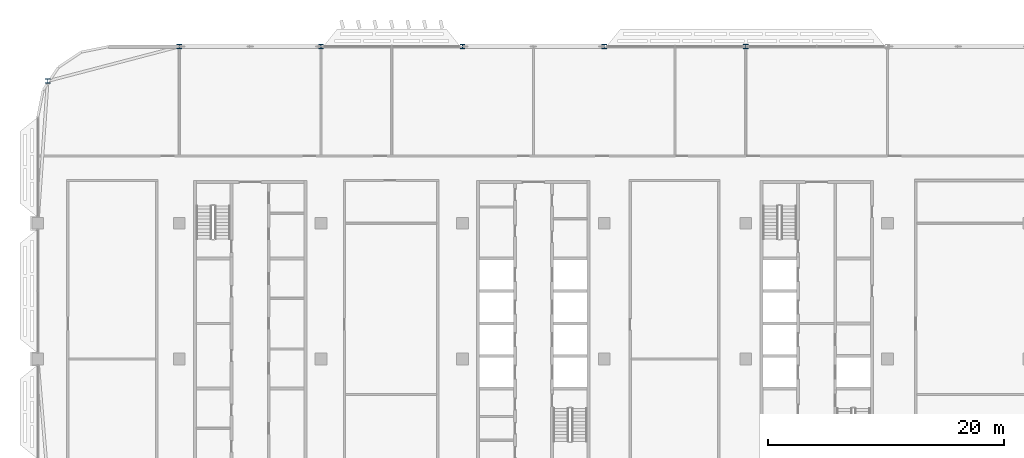
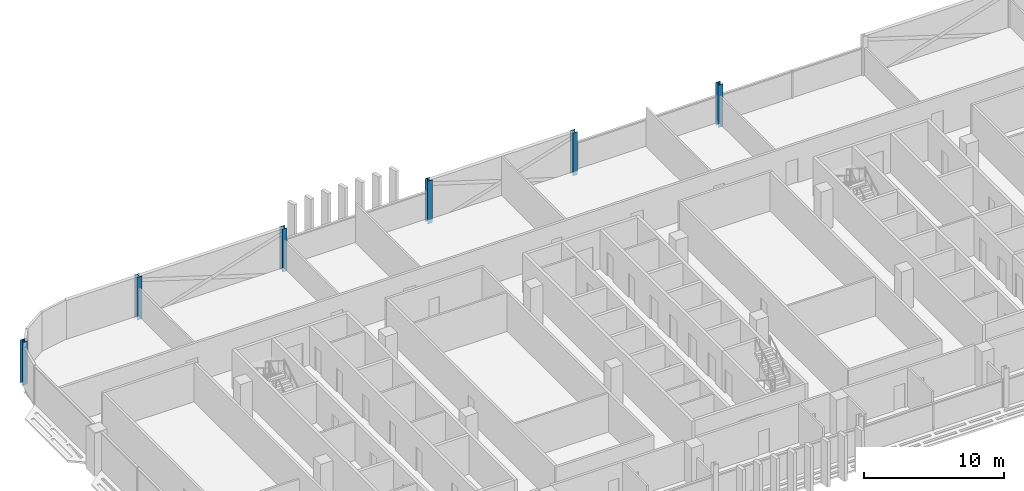
# One storey, part 3 of 33: 6 columns.
"""IFC4 building model written with IfcOpenShell, lengths in metres."""

from ifc_helpers import new_model, si_unit, direction, frame, origin, origin_2d, place, context, subcontext, project, spatial, i_section, extrude, material, material_profile, profile_set, type_object, element, save


model = new_model("IFC4")

# Units and contexts
model_context = context("Model", 3, precision=1e-05, world=origin(), true_north=direction((0.0, 1.0)))
body_context = subcontext(model_context, "Body", "Model", "MODEL_VIEW")
ifc_project = project(units=[si_unit("LENGTHUNIT", "METRE"), si_unit("AREAUNIT", "SQUARE_METRE"), si_unit("VOLUMEUNIT", "CUBIC_METRE"), si_unit("PLANEANGLEUNIT", "RADIAN"), si_unit("MASSUNIT", "GRAM", prefix="KILO")], contexts=[model_context])

# Site, building, storey
site_placement = place(None, origin())
site = spatial("IfcSite", under=ifc_project, at=site_placement, CompositionType="ELEMENT")
building_placement = place(site_placement, origin())
building = spatial("IfcBuilding", under=site, at=building_placement, Name="Mahtab Terrace Research Tower", CompositionType="ELEMENT")
storey_placement = place(building_placement, frame((0.0, 0.0, 255.199951171875)))
storey = spatial("IfcBuildingStorey", under=building, at=storey_placement, Name="L62", CompositionType="ELEMENT", Elevation=255.199951171875)

# Columns
ifc_material = material(Name="Steel ASTM A992 Gr 50", Category="steel")
ifc_material_profile = material_profile(ifc_material, i_section(OverallWidth=0.398681640625, OverallDepth=0.385986328125, WebThickness=0.02099609375, FlangeThickness=0.033203125, at=origin_2d()), Name="W14X176")
ifc_profile_set = profile_set([ifc_material_profile], Name="Steel ASTM A992 Gr 50")
column_type = type_object("IfcColumnType", Name="W14x176 column CS14176", PredefinedType="COLUMN", material=ifc_profile_set)
for number, where, z_axis, x_axis, name in (
    (1, (18.0, 26.472900390625, -0.33984375), (0.0, 0.0, 1.0), (1.0, 0.0, 0.0), "Column SC-055 L62"),
    (2, (6.0, 26.472900390625, -0.33984375), (0.0, 0.0, 1.0), (1.0, 0.0, 0.0), "Column SC-056 L62"),
    (3, (-6.0, 26.472900390625, -0.33984375), (0.0, 0.0, 1.0), (1.0, 0.0, 0.0), "Column SC-057 L62"),
    (4, (-18.0, 26.472900390625, -0.33984375), (0.0, 0.0, 1.0), (1.0, 0.0, 0.0), "Column SC-058 L62"),
    (5, (-30.0, 26.472900390625, -0.33984375), (0.0, 0.0, 1.0), (1.0, 0.0, 0.0), "Column SC-059 L62"),
    (6, (-41.154052734375, 23.5458984375, -0.33984375), (0.0, 0.0, 1.0), (1.0, 0.0, 0.0), "Column SC-060 L62"),
):
    element("IfcColumn", number, at=place(storey_placement, frame(where, z_axis=z_axis, x_axis=x_axis)), inside=storey, type_object=column_type, Name=name, PredefinedType="COLUMN", context=body_context, shape_type="SweptSolid", body=[
        extrude(i_section(OverallWidth=0.398681640625, OverallDepth=0.385986328125, WebThickness=0.02099609375, FlangeThickness=0.033203125, at=origin_2d()), origin(), (0.0, 0.0, 1.0), 3.739990234375),
    ])

save(model, "model.ifc")
